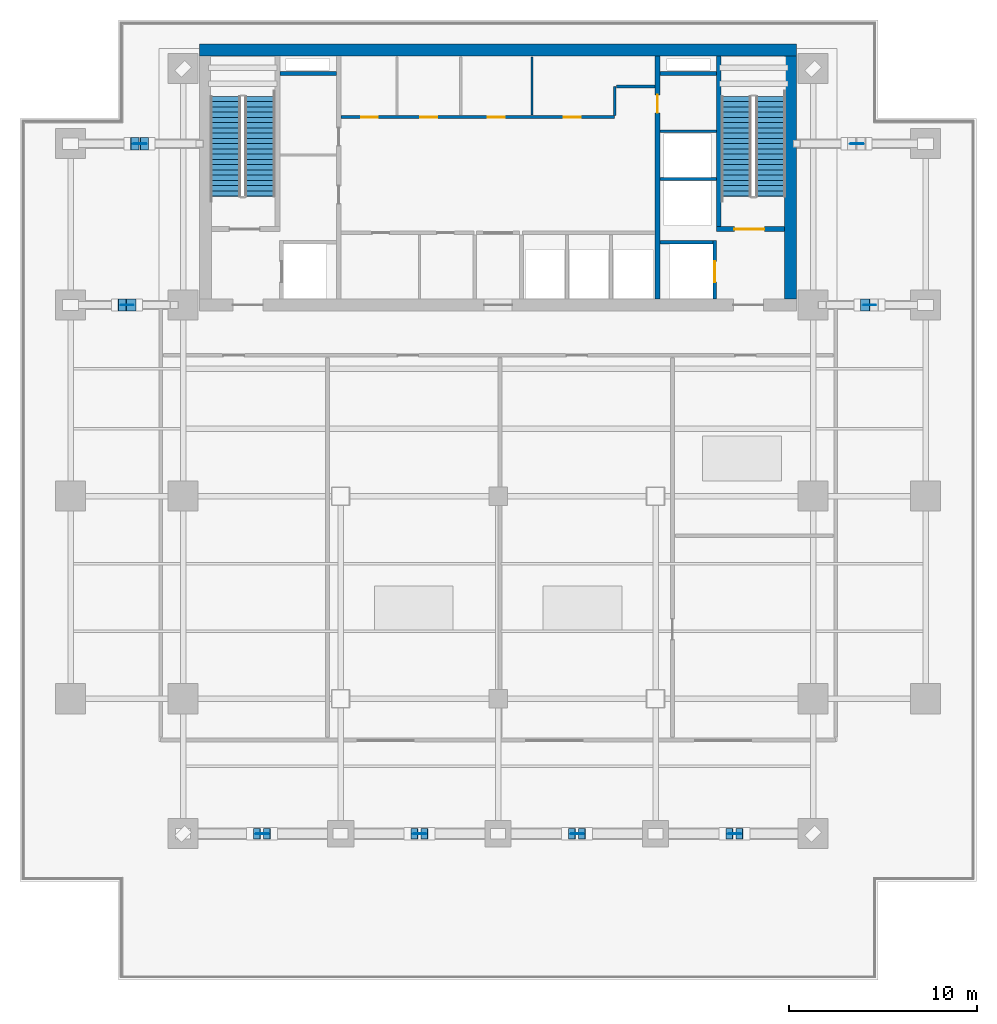
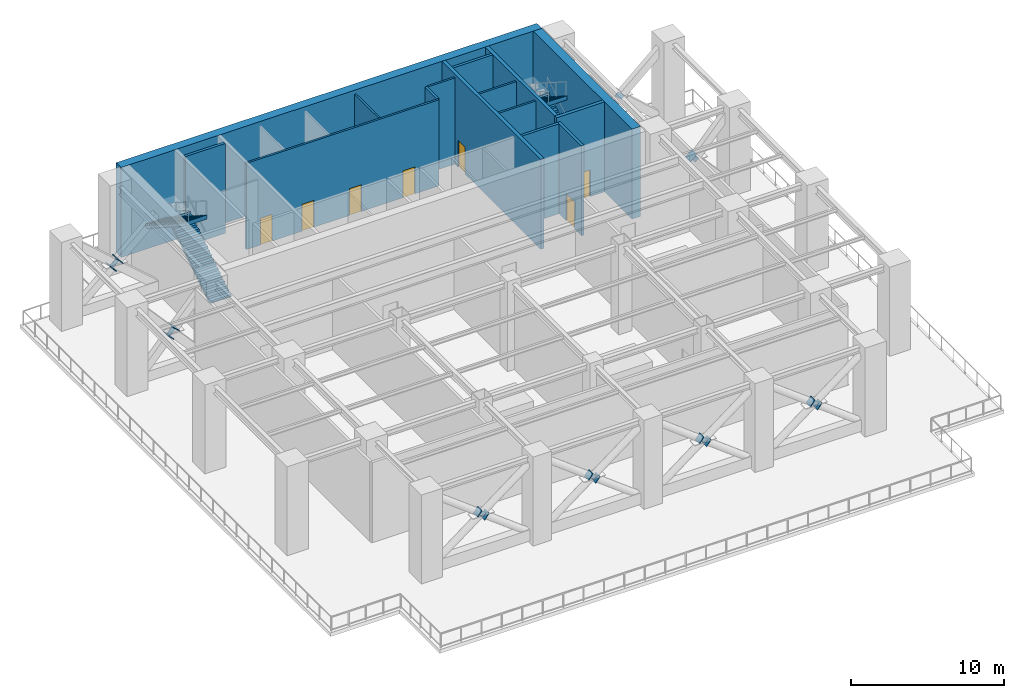
# One storey, part 4 of 9: 21 discrete accessories, 15 walls, 7 doors, 4 stair flights, 7 openings, 2 elements without a shape of their own.
"""IFC4 building model written with IfcOpenShell, lengths in metres."""

from ifc_helpers import new_model, si_unit, direction, frame, frame_2d, origin, origin_2d, place, context, subcontext, project, spatial, polyline, rectangle, outline, extrude, source, transform, mapped, material, layer, layer_set, type_object, element, fill, aggregate, save


model = new_model("IFC4")

# Units and contexts
model_context = context("Model", 3, precision=1e-05, world=origin(), true_north=direction((0.0, 1.0)))
body_context = subcontext(model_context, "Body", "Model", "MODEL_VIEW")
ifc_project = project(units=[si_unit("LENGTHUNIT", "METRE"), si_unit("AREAUNIT", "SQUARE_METRE"), si_unit("VOLUMEUNIT", "CUBIC_METRE"), si_unit("PLANEANGLEUNIT", "RADIAN"), si_unit("MASSUNIT", "GRAM", prefix="KILO")], contexts=[model_context])

# Site, building, storey
site_placement = place(None, origin())
site = spatial("IfcSite", under=ifc_project, at=site_placement, CompositionType="ELEMENT")
building_placement = place(site_placement, origin())
building = spatial("IfcBuilding", under=site, at=building_placement, Name="Sumidabori Civic Tower", CompositionType="ELEMENT")
storey_placement = place(building_placement, frame((0.0, 0.0, 124.39990234375)))
storey = spatial("IfcBuildingStorey", under=building, at=storey_placement, Name="L32", CompositionType="ELEMENT", Elevation=124.39990234375)

# Walls
ifc_material_1 = material(Name="Concrete C50/60", Category="concrete")
ifc_layer_1 = layer(ifc_material_1, 0.199951171875, Name="Concrete C50/60")
ifc_layer_set_1 = layer_set([ifc_layer_1], Name="Concrete C50/60")
wall_type_1 = type_object("IfcWallType", Name="WL-SHAFT-200", PredefinedType="SHEAR", material=ifc_layer_set_1)
shared_shape_1 = source(origin(), body_context, "Body", "SweptSolid", [
    extrude(rectangle(XDim=2.824951171875, YDim=0.199951171875, at=frame_2d((1.41259765625, 0.0))), origin(), (0.0, 0.0, 1.0), 7.2001953125),
])
wall_1_placement = place(storey_placement, frame((8.625, 13.550048828125, 0.0), z_axis=(0.0, 0.0, 1.0), x_axis=(1.0, 0.0, 0.0)))
element("IfcWall", 1, at=wall_1_placement, inside=storey, type_object=wall_type_1, Name="Core Shear Wall L32 EL2-N", PredefinedType="SHEAR", context=body_context, shape_type="MappedRepresentation", body=[
    mapped(shared_shape_1, transform((0.0, 0.0, 0.0), x_axis=(1.0, 0.0, 0.0), y_axis=(0.0, 1.0, 0.0), z_axis=(0.0, 0.0, 1.0), scale=1.0)),
])
shared_shape_2 = source(origin(), body_context, "Body", "SweptSolid", [
    extrude(rectangle(XDim=3.02001953125, YDim=0.199951171875, at=frame_2d((1.510009765625, 0.0))), origin(), (0.0, 0.0, 1.0), 7.2001953125),
])
for number, where, z_axis, x_axis, name in (
    (2, (-11.64501953125, 22.550048828125, 0.0), (0.0, 0.0, 1.0), (1.0, 0.0, 0.0), "Core Shear Wall L32 RIS1-S"),
    (3, (8.625, 22.550048828125, 0.0), (0.0, 0.0, 1.0), (1.0, 0.0, 0.0), "Core Shear Wall L32 RIS2-S"),
):
    element("IfcWall", number, at=place(storey_placement, frame(where, z_axis=z_axis, x_axis=x_axis)), inside=storey, type_object=wall_type_1, Name=name, PredefinedType="SHEAR", context=body_context, shape_type="MappedRepresentation", body=[
        mapped(shared_shape_2, transform((0.0, 0.0, 0.0), x_axis=(1.0, 0.0, 0.0), y_axis=(0.0, 1.0, 0.0), z_axis=(0.0, 0.0, 1.0), scale=1.0)),
    ])
ifc_material_2 = material(Name="Concrete C60/75", Category="concrete")
ifc_layer_2 = layer(ifc_material_2, 0.64990234375, Name="Concrete C60/75")
ifc_layer_set_2 = layer_set([ifc_layer_2], Name="Concrete C60/75")
wall_type_2 = type_object("IfcWallType", Name="WL-CORE-650", PredefinedType="SHEAR", material=ifc_layer_set_2)
shared_shape_3 = source(origin(), body_context, "Body", "SweptSolid", [
    extrude(rectangle(XDim=31.85009765625, YDim=0.64990234375, at=frame_2d((15.925048828125, 0.0))), origin(), (0.0, 0.0, 1.0), 7.2001953125),
])
wall_2_placement = place(storey_placement, frame((-15.925048828125, 23.800048828125, 0.0), z_axis=(0.0, 0.0, 1.0), x_axis=(1.0, 0.0, 0.0)))
element("IfcWall", 4, at=wall_2_placement, inside=storey, type_object=wall_type_2, Name="Core Shear Wall L32 N", PredefinedType="SHEAR", context=body_context, shape_type="MappedRepresentation", body=[
    mapped(shared_shape_3, transform((0.0, 0.0, 0.0), x_axis=(1.0, 0.0, 0.0), y_axis=(0.0, 1.0, 0.0), z_axis=(0.0, 0.0, 1.0), scale=1.0)),
])
shared_shape_4 = source(origin(), body_context, "Body", "SweptSolid", [
    extrude(rectangle(XDim=12.9501953125, YDim=0.64990234375, at=frame_2d((6.47509765625, 0.0))), origin(), (0.0, 0.0, 1.0), 7.2001953125),
])
wall_3_placement = place(storey_placement, frame((15.60009765625, 10.52490234375, 0.0), z_axis=(0.0, 0.0, 1.0), x_axis=(0.0, 1.0, 0.0)))
element("IfcWall", 5, at=wall_3_placement, inside=storey, type_object=wall_type_2, Name="Core Shear Wall L32 E", PredefinedType="SHEAR", context=body_context, shape_type="MappedRepresentation", body=[
    mapped(shared_shape_4, transform((0.0, 0.0, 0.0), x_axis=(1.0, 0.0, 0.0), y_axis=(0.0, 1.0, 0.0), z_axis=(0.0, 0.0, 1.0), scale=1.0)),
])

# Wall, opening, door
ifc_layer_3 = layer(ifc_material_1, 0.25, Name="Concrete C50/60")
ifc_layer_set_3 = layer_set([ifc_layer_3], Name="Concrete C50/60")
wall_type_3 = type_object("IfcWallType", Name="WL-SHAFT-250", PredefinedType="SHEAR", material=ifc_layer_set_3)
shared_shape_5 = source(origin(), body_context, "Body", "SweptSolid", [
    extrude(rectangle(XDim=12.9501953125, YDim=0.25, at=frame_2d((6.47509765625, 0.0))), origin(), (0.0, 0.0, 1.0), 7.2001953125),
])
wall_4_placement = place(storey_placement, frame((8.5, 10.52490234375, 0.0), z_axis=(0.0, 0.0, 1.0), x_axis=(0.0, 1.0, 0.0)))
wall_4 = element("IfcWall", 6, at=wall_4_placement, inside=storey, type_object=wall_type_3, Name="Core Shear Wall L32 WEB-E", PredefinedType="SHEAR", context=body_context, shape_type="MappedRepresentation", body=[
    mapped(shared_shape_5, transform((0.0, 0.0, 0.0), x_axis=(1.0, 0.0, 0.0), y_axis=(0.0, 1.0, 0.0), z_axis=(0.0, 0.0, 1.0), scale=1.0)),
])
opening_1_placement = place(wall_4_placement, frame((9.925048828125, 0.0, 0.0)))
opening_1 = element("IfcOpeningElement", 7, at=opening_1_placement, cuts=wall_4, Name="Opening DR-2", PredefinedType="OPENING", context=body_context, shape_type="SweptSolid", body=[
    extrude(rectangle(XDim=0.949951171875, YDim=2.14990234375, at=frame_2d((0.47509765625, 1.074951171875))), frame((0.0, 0.136962890625, 0.0), z_axis=(0.0, -1.0, 0.0), x_axis=(1.0, 0.0, 0.0)), (0.0, 0.0, 1.0), 0.27392578125),
])
ifc_material_3 = material(Name="Japanese Hinoki Timber", Category="wood")
door_type_1 = type_object("IfcDoorType", Name="DR-INT-950", OperationType="NOTDEFINED", PredefinedType="DOOR", material=ifc_material_3)
shared_shape_6 = source(origin(), body_context, "Body", "SweptSolid", [
    extrude(rectangle(XDim=0.949951171875, YDim=2.14990234375, at=frame_2d((0.47509765625, 1.074951171875))), frame((0.0, 0.02490234375, 0.0), z_axis=(0.0, -1.0, 0.0), x_axis=(1.0, 0.0, 0.0)), (0.0, 0.0, 1.0), 0.050048828125),
])
door_1_placement = place(opening_1_placement, origin())
door_1 = element("IfcDoor", 8, at=door_1_placement, inside=storey, type_object=door_type_1, Name="Door DR:L32:WC-ACC", OperationType="SINGLE_SWING_RIGHT", OverallHeight=2.14990234375, OverallWidth=0.949951171875, PredefinedType="DOOR", context=body_context, shape_type="MappedRepresentation", body=[
    mapped(shared_shape_6, transform((0.0, 0.0, 0.0), x_axis=(1.0, 0.0, 0.0), y_axis=(0.0, 1.0, 0.0), z_axis=(0.0, 0.0, 1.0), scale=1.0)),
])
fill(opening_1, door_1)

shared_shape_7 = source(origin(), body_context, "Body", "SweptSolid", [
    extrude(rectangle(XDim=3.6298828125, YDim=0.25, at=frame_2d((1.81494140625, 0.0))), origin(), (0.0, 0.0, 1.0), 7.2001953125),
])
wall_5_placement = place(storey_placement, frame((11.64501953125, 14.25, 0.0), z_axis=(0.0, 0.0, 1.0), x_axis=(1.0, 0.0, 0.0)))
wall_5 = element("IfcWall", 9, at=wall_5_placement, inside=storey, type_object=wall_type_3, Name="Core Shear Wall L32 ST2-S", PredefinedType="SHEAR", context=body_context, shape_type="MappedRepresentation", body=[
    mapped(shared_shape_7, transform((0.0, 0.0, 0.0), x_axis=(1.0, 0.0, 0.0), y_axis=(0.0, 1.0, 0.0), z_axis=(0.0, 0.0, 1.0), scale=1.0)),
])
opening_2_placement = place(wall_5_placement, frame((0.949951171875, 0.0, 0.0)))
opening_2 = element("IfcOpeningElement", 10, at=opening_2_placement, cuts=wall_5, Name="Opening DR-FD4", PredefinedType="OPENING", context=body_context, shape_type="SweptSolid", body=[
    extrude(rectangle(XDim=1.60009765625, YDim=2.14990234375, at=frame_2d((0.800048828125, 1.074951171875))), frame((0.0, 0.136962890625, 0.0), z_axis=(0.0, -1.0, 0.0), x_axis=(1.0, 0.0, 0.0)), (0.0, 0.0, 1.0), 0.27392578125),
])
ifc_material_4 = material(Name="Steel SN490", Category="steel")
door_type_2 = type_object("IfcDoorType", Name="DR-FD4", OperationType="DOUBLE_DOOR_SINGLE_SWING", PredefinedType="DOOR", material=ifc_material_4)
shared_shape_8 = source(origin(), body_context, "Body", "SweptSolid", [
    extrude(rectangle(XDim=1.60009765625, YDim=2.14990234375, at=frame_2d((0.800048828125, 1.074951171875))), frame((0.0, 0.02490234375, 0.0), z_axis=(0.0, -1.0, 0.0), x_axis=(1.0, 0.0, 0.0)), (0.0, 0.0, 1.0), 0.050048828125),
])
door_2_placement = place(opening_2_placement, origin())
door_2 = element("IfcDoor", 11, at=door_2_placement, inside=storey, type_object=door_type_2, Name="Door DR:L32:ST2", OperationType="DOUBLE_DOOR_SINGLE_SWING", OverallHeight=2.14990234375, OverallWidth=1.60009765625, PredefinedType="DOOR", context=body_context, shape_type="MappedRepresentation", body=[
    mapped(shared_shape_8, transform((0.0, 0.0, 0.0), x_axis=(1.0, 0.0, 0.0), y_axis=(0.0, 1.0, 0.0), z_axis=(0.0, 0.0, 1.0), scale=1.0)),
])
fill(opening_2, door_2)

# Wall
shared_shape_9 = source(origin(), body_context, "Body", "SweptSolid", [
    extrude(rectangle(XDim=9.10009765625, YDim=0.25, at=frame_2d((4.550048828125, 0.0))), origin(), (0.0, 0.0, 1.0), 7.2001953125),
])
wall_6_placement = place(storey_placement, frame((11.77001953125, 14.375, 0.0), z_axis=(0.0, 0.0, 1.0), x_axis=(0.0, 1.0, 0.0)))
element("IfcWall", 12, at=wall_6_placement, inside=storey, type_object=wall_type_3, Name="Core Shear Wall L32 ST2-W", PredefinedType="SHEAR", context=body_context, shape_type="MappedRepresentation", body=[
    mapped(shared_shape_9, transform((0.0, 0.0, 0.0), x_axis=(1.0, 0.0, 0.0), y_axis=(0.0, 1.0, 0.0), z_axis=(0.0, 0.0, 1.0), scale=1.0)),
])

# Wall, opening, door
shared_shape_10 = source(origin(), body_context, "Body", "SweptSolid", [
    extrude(rectangle(XDim=3.125, YDim=0.199951171875, at=frame_2d((1.5625, 0.0))), origin(), (0.0, 0.0, 1.0), 7.2001953125),
])
wall_7_placement = place(storey_placement, frame((11.550048828125, 10.52490234375, 0.0), z_axis=(0.0, 0.0, 1.0), x_axis=(0.0, 1.0, 0.0)))
wall_7 = element("IfcWall", 13, at=wall_7_placement, inside=storey, type_object=wall_type_1, Name="Core Shear Wall L32 EL2-E", PredefinedType="SHEAR", context=body_context, shape_type="MappedRepresentation", body=[
    mapped(shared_shape_10, transform((0.0, 0.0, 0.0), x_axis=(1.0, 0.0, 0.0), y_axis=(0.0, 1.0, 0.0), z_axis=(0.0, 0.0, 1.0), scale=1.0)),
])
opening_3_placement = place(wall_7_placement, frame((0.89990234375, 0.0, 0.0)))
opening_3 = element("IfcOpeningElement", 14, at=opening_3_placement, cuts=wall_7, Name="Opening LD-2", PredefinedType="OPENING", context=body_context, shape_type="SweptSolid", body=[
    extrude(rectangle(XDim=1.10009765625, YDim=2.14990234375, at=frame_2d((0.550048828125, 1.074951171875))), frame((0.0, 0.11181640625, 0.0), z_axis=(0.0, -1.0, 0.0), x_axis=(1.0, 0.0, 0.0)), (0.0, 0.0, 1.0), 0.223876953125),
])
ifc_material_5 = material(Name="Stainless Steel Hairline Finish", Category="steel")
door_type_3 = type_object("IfcDoorType", Name="DR-LD2", OperationType="DOUBLE_DOOR_SLIDING", PredefinedType="DOOR", material=ifc_material_5)
shared_shape_11 = source(origin(), body_context, "Body", "SweptSolid", [
    extrude(rectangle(XDim=1.10009765625, YDim=2.14990234375, at=frame_2d((0.550048828125, 1.074951171875))), frame((0.0, 0.02490234375, 0.0), z_axis=(0.0, -1.0, 0.0), x_axis=(1.0, 0.0, 0.0)), (0.0, 0.0, 1.0), 0.050048828125),
])
door_3_placement = place(opening_3_placement, origin())
door_3 = element("IfcDoor", 15, at=door_3_placement, inside=storey, type_object=door_type_3, Name="Door DR:L32:LD-EL2", OperationType="DOUBLE_DOOR_SLIDING", OverallHeight=2.14990234375, OverallWidth=1.10009765625, PredefinedType="DOOR", context=body_context, shape_type="MappedRepresentation", body=[
    mapped(shared_shape_11, transform((0.0, 0.0, 0.0), x_axis=(1.0, 0.0, 0.0), y_axis=(0.0, 1.0, 0.0), z_axis=(0.0, 0.0, 1.0), scale=1.0)),
])
fill(opening_3, door_3)

# Walls
ifc_material_6 = material(Name="Gypsum Plasterboard Acoustic Partition")
ifc_layer_4 = layer(ifc_material_6, 0.14990234375, Name="Gypsum Plasterboard Acoustic Partition")
ifc_layer_set_4 = layer_set([ifc_layer_4], Name="Gypsum Plasterboard Acoustic Partition")
wall_type_4 = type_object("IfcWallType", Name="WL-PART-150", PredefinedType="PARTITIONING", material=ifc_layer_set_4)
shared_shape_12 = source(origin(), body_context, "Body", "SweptSolid", [
    extrude(rectangle(XDim=3.010009765625, YDim=0.14990234375, at=frame_2d((1.5048828125, 0.0))), origin(), (0.0, 0.0, 1.0), 6.900146484375),
])
for number, where, z_axis, x_axis, name in (
    (16, (8.6298828125, 16.919921875, 0.0), (0.0, 0.0, 1.0), (1.0, 0.0, 0.0), "Interior Partition WL:L32:DIV-OBS1"),
    (17, (8.6298828125, 19.469970703125, 0.0), (0.0, 0.0, 1.0), (1.0, 0.0, 0.0), "Interior Partition WL:L32:DIV-OBS2"),
):
    element("IfcWall", number, at=place(storey_placement, frame(where, z_axis=z_axis, x_axis=x_axis)), inside=storey, type_object=wall_type_4, Name=name, PredefinedType="PARTITIONING", context=body_context, shape_type="MappedRepresentation", body=[
        mapped(shared_shape_12, transform((0.0, 0.0, 0.0), x_axis=(1.0, 0.0, 0.0), y_axis=(0.0, 1.0, 0.0), z_axis=(0.0, 0.0, 1.0), scale=1.0)),
    ])

# Wall, openings, doors
shared_shape_13 = source(origin(), body_context, "Body", "SweptSolid", [
    extrude(rectangle(XDim=14.590087890625, YDim=0.14990234375, at=frame_2d((7.294921875, 0.0))), origin(), (0.0, 0.0, 1.0), 6.900146484375),
])
wall_8_placement = place(storey_placement, frame((-8.3701171875, 20.219970703125, 0.0), z_axis=(0.0, 0.0, 1.0), x_axis=(1.0, 0.0, 0.0)))
wall_8 = element("IfcWall", 18, at=wall_8_placement, inside=storey, type_object=wall_type_4, Name="Interior Partition WL:L32:CBAND-M", PredefinedType="PARTITIONING", context=body_context, shape_type="MappedRepresentation", body=[
    mapped(shared_shape_13, transform((0.0, 0.0, 0.0), x_axis=(1.0, 0.0, 0.0), y_axis=(0.0, 1.0, 0.0), z_axis=(0.0, 0.0, 1.0), scale=1.0)),
])
opening_4_placement = place(wall_8_placement, frame((1.06005859375, 0.0, 0.0)))
opening_4 = element("IfcOpeningElement", 19, at=opening_4_placement, cuts=wall_8, Name="Opening DR-1", PredefinedType="OPENING", context=body_context, shape_type="SweptSolid", body=[
    extrude(rectangle(XDim=0.89990234375, YDim=2.14990234375, at=frame_2d((0.449951171875, 1.074951171875))), frame((0.0, 0.0869140625, 0.0), z_axis=(0.0, -1.0, 0.0), x_axis=(1.0, 0.0, 0.0)), (0.0, 0.0, 1.0), 0.173828125),
])
opening_5_placement = place(wall_8_placement, frame((4.219970703125, 0.0, 0.0)))
opening_5 = element("IfcOpeningElement", 20, at=opening_5_placement, cuts=wall_8, Name="Opening DR-1", PredefinedType="OPENING", context=body_context, shape_type="SweptSolid", body=[
    extrude(rectangle(XDim=0.89990234375, YDim=2.14990234375, at=frame_2d((0.449951171875, 1.074951171875))), frame((0.0, 0.0869140625, 0.0), z_axis=(0.0, -1.0, 0.0), x_axis=(1.0, 0.0, 0.0)), (0.0, 0.0, 1.0), 0.173828125),
])
opening_6_placement = place(wall_8_placement, frame((7.820068359375, 0.0, 0.0)))
opening_6 = element("IfcOpeningElement", 21, at=opening_6_placement, cuts=wall_8, Name="Opening DR-1", PredefinedType="OPENING", context=body_context, shape_type="SweptSolid", body=[
    extrude(rectangle(XDim=0.89990234375, YDim=2.14990234375, at=frame_2d((0.449951171875, 1.074951171875))), frame((0.0, 0.0869140625, 0.0), z_axis=(0.0, -1.0, 0.0), x_axis=(1.0, 0.0, 0.0)), (0.0, 0.0, 1.0), 0.173828125),
])
opening_7_placement = place(wall_8_placement, frame((11.8701171875, 0.0, 0.0)))
opening_7 = element("IfcOpeningElement", 22, at=opening_7_placement, cuts=wall_8, Name="Opening DR-1", PredefinedType="OPENING", context=body_context, shape_type="SweptSolid", body=[
    extrude(rectangle(XDim=0.89990234375, YDim=2.14990234375, at=frame_2d((0.449951171875, 1.074951171875))), frame((0.0, 0.0869140625, 0.0), z_axis=(0.0, -1.0, 0.0), x_axis=(1.0, 0.0, 0.0)), (0.0, 0.0, 1.0), 0.173828125),
])
door_type_4 = type_object("IfcDoorType", Name="DR-INT-900", OperationType="NOTDEFINED", PredefinedType="DOOR", material=ifc_material_3)
shared_shape_14 = source(origin(), body_context, "Body", "SweptSolid", [
    extrude(rectangle(XDim=0.89990234375, YDim=2.14990234375, at=frame_2d((0.449951171875, 1.074951171875))), frame((0.0, 0.02490234375, 0.0), z_axis=(0.0, -1.0, 0.0), x_axis=(1.0, 0.0, 0.0)), (0.0, 0.0, 1.0), 0.050048828125),
])
door_4_placement = place(opening_4_placement, origin())
door_4 = element("IfcDoor", 23, at=door_4_placement, inside=storey, type_object=door_type_4, Name="Door DR:L32:CB-1", OperationType="SINGLE_SWING_LEFT", OverallHeight=2.14990234375, OverallWidth=0.89990234375, PredefinedType="DOOR", context=body_context, shape_type="MappedRepresentation", body=[
    mapped(shared_shape_14, transform((0.0, 0.0, 0.0), x_axis=(1.0, 0.0, 0.0), y_axis=(0.0, 1.0, 0.0), z_axis=(0.0, 0.0, 1.0), scale=1.0)),
])
fill(opening_4, door_4)
door_5_placement = place(opening_5_placement, origin())
door_5 = element("IfcDoor", 24, at=door_5_placement, inside=storey, type_object=door_type_4, Name="Door DR:L32:CB-2", OperationType="SINGLE_SWING_RIGHT", OverallHeight=2.14990234375, OverallWidth=0.89990234375, PredefinedType="DOOR", context=body_context, shape_type="MappedRepresentation", body=[
    mapped(shared_shape_14, transform((0.0, 0.0, 0.0), x_axis=(1.0, 0.0, 0.0), y_axis=(0.0, 1.0, 0.0), z_axis=(0.0, 0.0, 1.0), scale=1.0)),
])
fill(opening_5, door_5)
door_6_placement = place(opening_6_placement, origin())
door_6 = element("IfcDoor", 25, at=door_6_placement, inside=storey, type_object=door_type_4, Name="Door DR:L32:CB-3", OperationType="SINGLE_SWING_LEFT", OverallHeight=2.14990234375, OverallWidth=0.89990234375, PredefinedType="DOOR", context=body_context, shape_type="MappedRepresentation", body=[
    mapped(shared_shape_14, transform((0.0, 0.0, 0.0), x_axis=(1.0, 0.0, 0.0), y_axis=(0.0, 1.0, 0.0), z_axis=(0.0, 0.0, 1.0), scale=1.0)),
])
fill(opening_6, door_6)
door_7_placement = place(opening_7_placement, origin())
door_7 = element("IfcDoor", 26, at=door_7_placement, inside=storey, type_object=door_type_4, Name="Door DR:L32:CB-4", OperationType="SINGLE_SWING_RIGHT", OverallHeight=2.14990234375, OverallWidth=0.89990234375, PredefinedType="DOOR", context=body_context, shape_type="MappedRepresentation", body=[
    mapped(shared_shape_14, transform((0.0, 0.0, 0.0), x_axis=(1.0, 0.0, 0.0), y_axis=(0.0, 1.0, 0.0), z_axis=(0.0, 0.0, 1.0), scale=1.0)),
])
fill(opening_7, door_7)

# Walls
shared_shape_15 = source(origin(), body_context, "Body", "SweptSolid", [
    extrude(rectangle(XDim=1.550048828125, YDim=0.14990234375, at=frame_2d((0.77490234375, 0.0))), origin(), (0.0, 0.0, 1.0), 6.900146484375),
])
wall_9_placement = place(storey_placement, frame((6.219970703125, 20.300048828125, 0.0), z_axis=(0.0, 0.0, 1.0), x_axis=(0.0, 1.0, 0.0)))
element("IfcWall", 27, at=wall_9_placement, inside=storey, type_object=wall_type_4, Name="Interior Partition WL:L32:CBAND-ME1", PredefinedType="PARTITIONING", context=body_context, shape_type="MappedRepresentation", body=[
    mapped(shared_shape_15, transform((0.0, 0.0, 0.0), x_axis=(1.0, 0.0, 0.0), y_axis=(0.0, 1.0, 0.0), z_axis=(0.0, 0.0, 1.0), scale=1.0)),
])
shared_shape_16 = source(origin(), body_context, "Body", "SweptSolid", [
    extrude(rectangle(XDim=2.070068359375, YDim=0.14990234375, at=frame_2d((1.03515625, 0.0))), origin(), (0.0, 0.0, 1.0), 6.900146484375),
])
wall_10_placement = place(storey_placement, frame((6.300048828125, 21.85009765625, 0.0), z_axis=(0.0, 0.0, 1.0), x_axis=(1.0, 0.0, 0.0)))
element("IfcWall", 28, at=wall_10_placement, inside=storey, type_object=wall_type_4, Name="Interior Partition WL:L32:CBAND-ME2", PredefinedType="PARTITIONING", context=body_context, shape_type="MappedRepresentation", body=[
    mapped(shared_shape_16, transform((0.0, 0.0, 0.0), x_axis=(1.0, 0.0, 0.0), y_axis=(0.0, 1.0, 0.0), z_axis=(0.0, 0.0, 1.0), scale=1.0)),
])
ifc_layer_5 = layer(ifc_material_6, 0.1201171875, Name="Gypsum Plasterboard Acoustic Partition")
ifc_layer_set_5 = layer_set([ifc_layer_5], Name="Gypsum Plasterboard Acoustic Partition")
wall_type_5 = type_object("IfcWallType", Name="WL-PART-120", PredefinedType="PARTITIONING", material=ifc_layer_set_5)
shared_shape_17 = source(origin(), body_context, "Body", "SweptSolid", [
    extrude(rectangle(XDim=3.114990234375, YDim=0.1201171875, at=frame_2d((1.5576171875, 0.0))), origin(), (0.0, 0.0, 1.0), 6.900146484375),
])
wall_11_placement = place(storey_placement, frame((1.800048828125, 20.320068359375, 0.0), z_axis=(0.0, 0.0, 1.0), x_axis=(0.0, 1.0, 0.0)))
element("IfcWall", 29, at=wall_11_placement, inside=storey, type_object=wall_type_5, Name="Interior Partition WL:L32:LV8-S3", PredefinedType="PARTITIONING", context=body_context, shape_type="MappedRepresentation", body=[
    mapped(shared_shape_17, transform((0.0, 0.0, 0.0), x_axis=(1.0, 0.0, 0.0), y_axis=(0.0, 1.0, 0.0), z_axis=(0.0, 0.0, 1.0), scale=1.0)),
])

# Stair, stair flights
ifc_material_7 = material(Name="Concrete C40/50", Category="concrete")
stair_type = type_object("IfcStairType", Name="ST-CORE-1600", PredefinedType="HALF_TURN_STAIR", material=ifc_material_7)
stair_1_placement = place(storey_placement, origin())
stair_1 = element("IfcStair", 30, at=stair_1_placement, inside=storey, type_object=stair_type, Name="L32 ST-1", PredefinedType="HALF_TURN_STAIR")
stair_flight_type = type_object("IfcStairFlightType", Name="SF-CORE-1600", PredefinedType="STRAIGHT", material=ifc_material_7)
shared_shape_18 = source(origin(), body_context, "Body", "SweptSolid", [
    extrude(outline(polyline([(-0.02490234375, 0.0), (-0.02490234375, 0.0400390625), (0.0, 0.0400390625), (0.0, 0.179931640625), (0.280029296875, 0.179931640625), (0.280029296875, 0.360107421875), (0.56005859375, 0.360107421875), (0.56005859375, 0.5400390625), (0.840087890625, 0.5400390625), (0.840087890625, 0.719970703125), (1.1201171875, 0.719970703125), (1.1201171875, 0.89990234375), (1.39990234375, 0.89990234375), (1.39990234375, 1.080078125), (1.679931640625, 1.080078125), (1.679931640625, 1.260009765625), (1.9599609375, 1.260009765625), (1.9599609375, 1.43994140625), (2.239990234375, 1.43994140625), (2.239990234375, 1.6201171875), (2.52001953125, 1.6201171875), (2.52001953125, 1.800048828125), (2.800048828125, 1.800048828125), (2.800048828125, 1.97998046875), (3.080078125, 1.97998046875), (3.080078125, 2.159912109375), (3.360107421875, 2.159912109375), (3.360107421875, 2.340087890625), (3.639892578125, 2.340087890625), (3.639892578125, 2.52001953125), (3.919921875, 2.52001953125), (3.919921875, 2.699951171875), (4.199951171875, 2.699951171875), (4.199951171875, 2.8798828125), (4.47998046875, 2.8798828125), (4.47998046875, 3.06005859375), (4.760009765625, 3.06005859375), (4.760009765625, 3.239990234375), (5.0400390625, 3.239990234375), (5.0400390625, 3.419921875), (5.320068359375, 3.419921875), (5.320068359375, 3.60009765625), (5.344970703125, 3.60009765625), (5.344970703125, 3.4501953125), (5.320068359375, 3.24169921875), (0.277099609375, 0.0), (-0.02490234375, 0.0)])), frame((0.0, 0.800048828125, 0.0), z_axis=(0.0, -1.0, 0.0), x_axis=(1.0, 0.0, 0.0)), (0.0, 0.0, 1.0), 1.60009765625),
])
stair_flight_1_placement = place(storey_placement, frame((-12.699951171875, 16.0, 0.0), z_axis=(0.0, 0.0, 1.0), x_axis=(0.0, 1.0, 0.0)))
stair_flight_1 = element("IfcStairFlight", 31, at=stair_flight_1_placement, type_object=stair_flight_type, Name="ST-1 flight 1", NumberOfRisers=20, NumberOfTreads=19, PredefinedType="STRAIGHT", RiserHeight=0.18, TreadLength=0.28, context=body_context, shape_type="MappedRepresentation", body=[
    mapped(shared_shape_18, transform((0.0, 0.0, 0.0), x_axis=(1.0, 0.0, 0.0), y_axis=(0.0, 1.0, 0.0), z_axis=(0.0, 0.0, 1.0), scale=1.0)),
])
stair_flight_2_placement = place(storey_placement, frame((-14.5400390625, 21.320068359375, 3.60009765625), z_axis=(0.0, 0.0, 1.0), x_axis=(0.0, -1.0, 0.0)))
stair_flight_2 = element("IfcStairFlight", 32, at=stair_flight_2_placement, type_object=stair_flight_type, Name="ST-1 flight 2", NumberOfRisers=20, NumberOfTreads=19, PredefinedType="STRAIGHT", RiserHeight=0.18, TreadLength=0.28, context=body_context, shape_type="MappedRepresentation", body=[
    mapped(shared_shape_18, transform((0.0, 0.0, 0.0), x_axis=(1.0, 0.0, 0.0), y_axis=(0.0, 1.0, 0.0), z_axis=(0.0, 0.0, 1.0), scale=1.0)),
])
aggregate(stair_1, [stair_flight_1, stair_flight_2])

stair_2_placement = place(storey_placement, origin())
stair_2 = element("IfcStair", 33, at=stair_2_placement, inside=storey, type_object=stair_type, Name="L32 ST-2", PredefinedType="HALF_TURN_STAIR")
stair_flight_3_placement = place(storey_placement, frame((14.5400390625, 16.0, 0.0), z_axis=(0.0, 0.0, 1.0), x_axis=(0.0, 1.0, 0.0)))
stair_flight_3 = element("IfcStairFlight", 34, at=stair_flight_3_placement, type_object=stair_flight_type, Name="ST-2 flight 1", NumberOfRisers=20, NumberOfTreads=19, PredefinedType="STRAIGHT", RiserHeight=0.18, TreadLength=0.28, context=body_context, shape_type="MappedRepresentation", body=[
    mapped(shared_shape_18, transform((0.0, 0.0, 0.0), x_axis=(1.0, 0.0, 0.0), y_axis=(0.0, 1.0, 0.0), z_axis=(0.0, 0.0, 1.0), scale=1.0)),
])
stair_flight_4_placement = place(storey_placement, frame((12.699951171875, 21.320068359375, 3.60009765625), z_axis=(0.0, 0.0, 1.0), x_axis=(0.0, -1.0, 0.0)))
stair_flight_4 = element("IfcStairFlight", 35, at=stair_flight_4_placement, type_object=stair_flight_type, Name="ST-2 flight 2", NumberOfRisers=20, NumberOfTreads=19, PredefinedType="STRAIGHT", RiserHeight=0.18, TreadLength=0.28, context=body_context, shape_type="MappedRepresentation", body=[
    mapped(shared_shape_18, transform((0.0, 0.0, 0.0), x_axis=(1.0, 0.0, 0.0), y_axis=(0.0, 1.0, 0.0), z_axis=(0.0, 0.0, 1.0), scale=1.0)),
])
aggregate(stair_2, [stair_flight_3, stair_flight_4])

# Discrete accessories
ifc_layer_6 = layer(ifc_material_4, 0.028076171875, Name="Steel SN490")
ifc_layer_set_6 = layer_set([ifc_layer_6], Name="Steel SN490")
discrete_accessory_type_1 = type_object("IfcDiscreteAccessoryType", Name="AC-CAP-SN490", PredefinedType="USERDEFINED", material=ifc_layer_set_6)
shared_shape_19 = source(origin(), body_context, "Body", "SweptSolid", [
    extrude(rectangle(XDim=0.568115234375, YDim=0.568115234375, at=origin_2d()), origin(), (0.0, 0.0, 1.0), 0.0400390625),
])
for number, where, z_axis, x_axis, name in (
    (36, (-12.8828125, -18.0, 3.73974609375), (0.797802225535, 0.0, -0.602919239145), (0.0, 1.0, 0.0), "Hollow Section End Cap Plate XND-BT-1 Lower"),
    (37, (-4.482666015625, -18.0, 3.73974609375), (0.797802225535, 0.0, -0.602919239145), (0.0, 1.0, 0.0), "Hollow Section End Cap Plate XND-BT-2 Lower"),
    (38, (-3.917236328125, -18.0, 3.310546875), (-0.797802225535, 0.0, 0.602919239145), (0.0, -1.0, 0.0), "Hollow Section End Cap Plate XND-BT-2 Upper"),
    (39, (3.917236328125, -18.0, 3.73974609375), (0.797802225535, 0.0, -0.602919239145), (0.0, 1.0, 0.0), "Hollow Section End Cap Plate XND-BT-3 Lower"),
    (40, (4.482666015625, -18.0, 3.310546875), (-0.797802225535, 0.0, 0.602919239145), (0.0, -1.0, 0.0), "Hollow Section End Cap Plate XND-BT-3 Upper"),
    (41, (12.8828125, -18.0, 3.310546875), (-0.797802225535, 0.0, 0.602919239145), (0.0, -1.0, 0.0), "Hollow Section End Cap Plate XND-BT-4 Upper"),
):
    element("IfcDiscreteAccessory", number, at=place(storey_placement, frame(where, z_axis=z_axis, x_axis=x_axis)), inside=storey, type_object=discrete_accessory_type_1, Name=name, ObjectType="End Cap Plate", PredefinedType="USERDEFINED", context=body_context, shape_type="MappedRepresentation", body=[
        mapped(shared_shape_19, transform((0.0, 0.0, 0.0), x_axis=(1.0, 0.0, 0.0), y_axis=(0.0, 1.0, 0.0), z_axis=(0.0, 0.0, 1.0), scale=1.0)),
    ])
shared_shape_20 = source(origin(), body_context, "Body", "SweptSolid", [
    extrude(rectangle(XDim=0.568115234375, YDim=0.568115234375, at=origin_2d()), origin(), (0.0, 0.0, 1.0), 0.039794921875),
])
for number, where, z_axis, x_axis, name in (
    (42, (-12.3173828125, -18.0, 3.310546875), (-0.795572181555, 0.0, 0.605858815184), (0.0, -1.0, 0.0), "Hollow Section End Cap Plate XND-BT-1 Upper"),
    (43, (12.3173828125, -18.0, 3.73974609375), (0.795572181555, 0.0, -0.605858815184), (0.0, 1.0, 0.0), "Hollow Section End Cap Plate XND-BT-4 Lower"),
):
    element("IfcDiscreteAccessory", number, at=place(storey_placement, frame(where, z_axis=z_axis, x_axis=x_axis)), inside=storey, type_object=discrete_accessory_type_1, Name=name, ObjectType="End Cap Plate", PredefinedType="USERDEFINED", context=body_context, shape_type="MappedRepresentation", body=[
        mapped(shared_shape_20, transform((0.0, 0.0, 0.0), x_axis=(1.0, 0.0, 0.0), y_axis=(0.0, 1.0, 0.0), z_axis=(0.0, 0.0, 1.0), scale=1.0)),
    ])
ifc_layer_7 = layer(ifc_material_4, 0.0400390625, Name="Steel SN490")
ifc_layer_set_7 = layer_set([ifc_layer_7], Name="Steel SN490")
discrete_accessory_type_2 = type_object("IfcDiscreteAccessoryType", Name="AC-XND-SN490", PredefinedType="BRACKET", material=ifc_layer_set_7)
shared_shape_21 = source(origin(), body_context, "Body", "SweptSolid", [
    extrude(rectangle(XDim=0.0400390625, YDim=0.320068359375, at=origin_2d()), origin(), (0.0, 0.0, 1.0), 0.663818359375),
])
for number, where, z_axis, x_axis, name in (
    (44, (-12.864501953125, -18.0, 3.725830078125), (0.796544702908, 0.0, -0.604579636002), (0.0, 1.0, 0.0), "X-Brace Crossing Gusset Node XND-BT-1"),
    (45, (-4.46435546875, -18.0, 3.725830078125), (0.796544702908, 0.0, -0.604579636002), (0.0, 1.0, 0.0), "X-Brace Crossing Gusset Node XND-BT-2"),
    (46, (3.935546875, -18.0, 3.725830078125), (0.796544702908, 0.0, -0.604579636002), (0.0, 1.0, 0.0), "X-Brace Crossing Gusset Node XND-BT-3"),
    (47, (12.335693359375, -18.0, 3.725830078125), (0.796544702908, 0.0, -0.604579636002), (0.0, 1.0, 0.0), "X-Brace Crossing Gusset Node XND-BT-4"),
):
    element("IfcDiscreteAccessory", number, at=place(storey_placement, frame(where, z_axis=z_axis, x_axis=x_axis)), inside=storey, type_object=discrete_accessory_type_2, Name=name, PredefinedType="BRACKET", context=body_context, shape_type="MappedRepresentation", body=[
        mapped(shared_shape_21, transform((0.0, 0.0, 0.0), x_axis=(1.0, 0.0, 0.0), y_axis=(0.0, 1.0, 0.0), z_axis=(0.0, 0.0, 1.0), scale=1.0)),
    ])
shared_shape_22 = source(origin(), body_context, "Body", "SweptSolid", [
    extrude(rectangle(XDim=0.659912109375, YDim=0.659912109375, at=origin_2d()), origin(), (0.0, 0.0, 1.0), 0.0400390625),
])
for number, where, z_axis, x_axis, name in (
    (48, (-19.562744140625, 10.199951171875, 3.791015625), (-0.666258670845, 0.0, -0.745720714157), (0.0, -1.0, 0.0), "Hollow Section End Cap Plate XND-OT-W1 Lower"),
    (49, (-20.037109375, 10.199951171875, 3.259033203125), (0.663230066188, 0.0, 0.748415579277), (0.0, 1.0, 0.0), "Hollow Section End Cap Plate XND-OT-W1 Upper"),
    (50, (-18.85302734375, 18.800048828125, 3.76318359375), (-0.751440225051, 0.0, -0.659801173215), (0.0, -1.0, 0.0), "Hollow Section End Cap Plate XND-OT-W2 Lower"),
    (51, (-19.39208984375, 18.800048828125, 3.287109375), (0.751440225051, 0.0, 0.659801173215), (0.0, 1.0, 0.0), "Hollow Section End Cap Plate XND-OT-W2 Upper"),
    (52, (19.562744140625, 10.199951171875, 3.791015625), (0.666258670845, 0.0, -0.745720714157), (0.0, 1.0, 0.0), "Hollow Section End Cap Plate XND-OT-E1 Lower"),
):
    element("IfcDiscreteAccessory", number, at=place(storey_placement, frame(where, z_axis=z_axis, x_axis=x_axis)), inside=storey, type_object=discrete_accessory_type_1, Name=name, ObjectType="End Cap Plate", PredefinedType="USERDEFINED", context=body_context, shape_type="MappedRepresentation", body=[
        mapped(shared_shape_22, transform((0.0, 0.0, 0.0), x_axis=(1.0, 0.0, 0.0), y_axis=(0.0, 1.0, 0.0), z_axis=(0.0, 0.0, 1.0), scale=1.0)),
    ])
shared_shape_23 = source(origin(), body_context, "Body", "SweptSolid", [
    extrude(rectangle(XDim=0.0400390625, YDim=0.360107421875, at=origin_2d()), origin(), (0.0, 0.0, 1.0), 0.666748046875),
])
for number, where, z_axis, x_axis, name in (
    (53, (-19.578125, 10.199951171875, 3.77392578125), (-0.665680985742, 0.0, -0.746236440562), (0.0, -1.0, 0.0), "X-Brace Crossing Gusset Node XND-OT-W1"),
    (54, (19.578125, 10.199951171875, 3.77392578125), (0.665680985742, 0.0, -0.746236440562), (0.0, 1.0, 0.0), "X-Brace Crossing Gusset Node XND-OT-E1"),
):
    element("IfcDiscreteAccessory", number, at=place(storey_placement, frame(where, z_axis=z_axis, x_axis=x_axis)), inside=storey, type_object=discrete_accessory_type_2, Name=name, PredefinedType="BRACKET", context=body_context, shape_type="MappedRepresentation", body=[
        mapped(shared_shape_23, transform((0.0, 0.0, 0.0), x_axis=(1.0, 0.0, 0.0), y_axis=(0.0, 1.0, 0.0), z_axis=(0.0, 0.0, 1.0), scale=1.0)),
    ])
shared_shape_24 = source(origin(), body_context, "Body", "SweptSolid", [
    extrude(rectangle(XDim=0.0400390625, YDim=0.360107421875, at=origin_2d()), origin(), (0.0, 0.0, 1.0), 0.67333984375),
])
for number, where, z_axis, x_axis, name in (
    (55, (-18.8701171875, 18.800048828125, 3.748046875), (-0.749446225806, 0.0, -0.662065219314), (0.0, -1.0, 0.0), "X-Brace Crossing Gusset Node XND-OT-W2"),
    (56, (18.8701171875, 18.800048828125, 3.748046875), (0.749446225806, 0.0, -0.662065219314), (0.0, 1.0, 0.0), "X-Brace Crossing Gusset Node XND-OT-E2"),
):
    element("IfcDiscreteAccessory", number, at=place(storey_placement, frame(where, z_axis=z_axis, x_axis=x_axis)), inside=storey, type_object=discrete_accessory_type_2, Name=name, PredefinedType="BRACKET", context=body_context, shape_type="MappedRepresentation", body=[
        mapped(shared_shape_24, transform((0.0, 0.0, 0.0), x_axis=(1.0, 0.0, 0.0), y_axis=(0.0, 1.0, 0.0), z_axis=(0.0, 0.0, 1.0), scale=1.0)),
    ])

save(model, "model.ifc")
